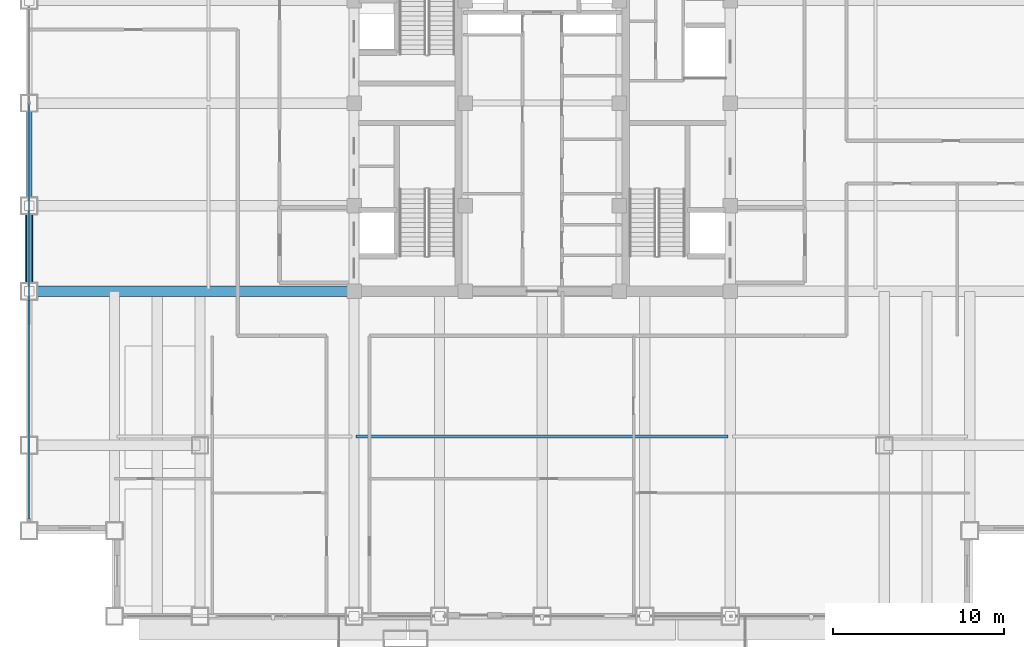
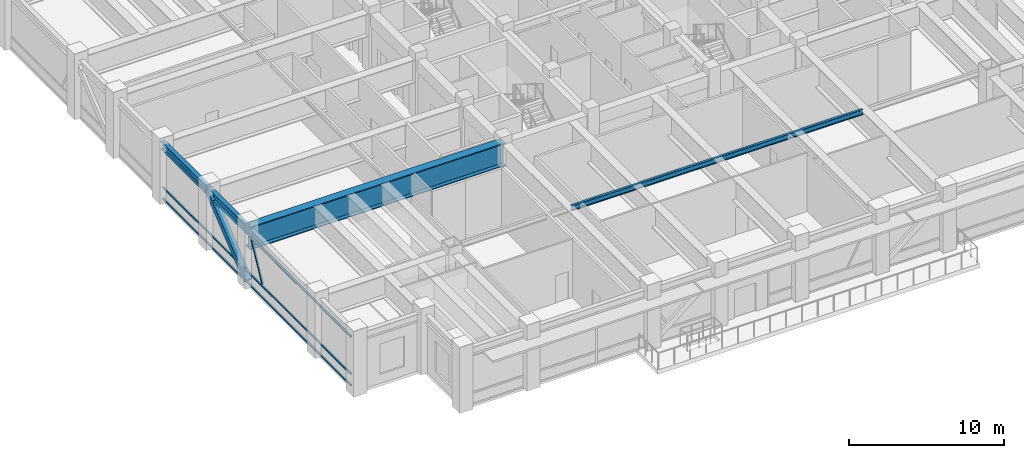
# One storey, part 5 of 33: 5 members, 4 beams, 1 element without a shape of its own.
"""IFC4 building model written with IfcOpenShell, lengths in metres."""

from ifc_helpers import new_model, si_unit, direction, frame, origin, origin_2d, place, context, subcontext, project, spatial, hollow_rectangle, i_section, extrude, source, transform, mapped, material, material_profile, profile_set, type_object, element, aggregate, save


model = new_model("IFC4")

# Units and contexts
model_context = context("Model", 3, precision=1e-05, world=origin(), true_north=direction((0.0, 1.0)))
body_context = subcontext(model_context, "Body", "Model", "MODEL_VIEW")
ifc_project = project(units=[si_unit("LENGTHUNIT", "METRE"), si_unit("AREAUNIT", "SQUARE_METRE"), si_unit("VOLUMEUNIT", "CUBIC_METRE"), si_unit("PLANEANGLEUNIT", "RADIAN"), si_unit("MASSUNIT", "GRAM", prefix="KILO")], contexts=[model_context])

# Site, building, storey
site_placement = place(None, origin())
site = spatial("IfcSite", under=ifc_project, at=site_placement, CompositionType="ELEMENT")
building_placement = place(site_placement, origin())
building = spatial("IfcBuilding", under=site, at=building_placement, Name="Khorayat Bourse Tower", CompositionType="ELEMENT")
storey_placement = place(building_placement, frame((0.0, 0.0, 263.10009765625)))
storey = spatial("IfcBuildingStorey", under=building, at=storey_placement, Name="L62", CompositionType="ELEMENT", Elevation=263.10009765625)

# Beams
ifc_material_1 = material(Name="Steel ASTM A992 Grade 50", Category="steel")
ifc_material_profile_1 = material_profile(ifc_material_1, i_section(OverallWidth=0.180908203125, OverallDepth=0.4169921875, WebThickness=0.010986328125, FlangeThickness=0.018310546875, FilletRadius=0.011962890625, at=origin_2d()), Name="W410X85")
ifc_profile_set_1 = profile_set([ifc_material_profile_1], Name="Steel ASTM A992 Grade 50")
beam_type_1 = type_object("IfcBeamType", Name="BM-JOIST-410", PredefinedType="JOIST", material=ifc_profile_set_1)
shared_shape_1 = source(origin(), body_context, "Body", "SweptSolid", [
    extrude(i_section(OverallWidth=0.180908203125, OverallDepth=0.4169921875, WebThickness=0.010986328125, FlangeThickness=0.018310546875, FilletRadius=0.011962890625, at=origin_2d()), origin(), (0.0, 0.0, 1.0), 21.740234375),
])
beam_1_placement = place(storey_placement, frame((-10.8701171875, -19.5, 4.391357421875), z_axis=(1.0, 0.0, 0.0), x_axis=(0.0, 1.0, 0.0)))
element("IfcBeam", 1, at=beam_1_placement, inside=storey, type_object=beam_type_1, Name="L62 BM-JOIST-410 BM-L62-JSTX-105", PredefinedType="JOIST", context=body_context, shape_type="MappedRepresentation", body=[
    mapped(shared_shape_1, transform((0.0, 0.0, 0.0), scale=1.0)),
])
ifc_material_profile_2 = material_profile(ifc_material_1, i_section(OverallWidth=0.324951171875, OverallDepth=0.615966796875, WebThickness=0.013916015625, FlangeThickness=0.021484375, FilletRadius=0.01611328125, at=origin_2d()), Name="W610X174")
ifc_profile_set_2 = profile_set([ifc_material_profile_2], Name="Steel ASTM A992 Grade 50")
beam_type_2 = type_object("IfcBeamType", Name="BM-SPAN-610", PredefinedType="SPANDREL", material=ifc_profile_set_2)
shared_shape_2 = source(origin(), body_context, "Body", "SweptSolid", [
    extrude(i_section(OverallWidth=0.324951171875, OverallDepth=0.615966796875, WebThickness=0.013916015625, FlangeThickness=0.021484375, FilletRadius=0.01611328125, at=origin_2d()), origin(), (0.0, 0.0, 1.0), 5.0),
])
beam_2_placement = place(storey_placement, frame((-30.0, -11.0, 4.2919921875), z_axis=(0.0, 1.0, 0.0), x_axis=(-1.0, 0.0, 0.0)))
element("IfcBeam", 2, at=beam_2_placement, inside=storey, type_object=beam_type_2, Name="L62 BM-SPAN-610 BM-L62-SPN-059", PredefinedType="SPANDREL", context=body_context, shape_type="MappedRepresentation", body=[
    mapped(shared_shape_2, transform((0.0, 0.0, 0.0), scale=1.0)),
])
shared_shape_3 = source(origin(), body_context, "Body", "SweptSolid", [
    extrude(i_section(OverallWidth=0.324951171875, OverallDepth=0.615966796875, WebThickness=0.013916015625, FlangeThickness=0.021484375, FilletRadius=0.01611328125, at=origin_2d()), origin(), (0.0, 0.0, 1.0), 6.0),
])
beam_3_placement = place(storey_placement, frame((-30.0, -6.0, 4.2919921875), z_axis=(0.0, 1.0, 0.0), x_axis=(-1.0, 0.0, 0.0)))
element("IfcBeam", 3, at=beam_3_placement, inside=storey, type_object=beam_type_2, Name="L62 BM-SPAN-610 BM-L62-SPN-058", PredefinedType="SPANDREL", context=body_context, shape_type="MappedRepresentation", body=[
    mapped(shared_shape_3, transform((0.0, 0.0, 0.0), scale=1.0)),
])
ifc_material_2 = material(Name="Steel EN 10025-4 S460M", Category="steel")
ifc_material_profile_3 = material_profile(ifc_material_2, i_section(OverallWidth=0.60009765625, OverallDepth=1.800048828125, WebThickness=0.031982421875, FlangeThickness=0.06005859375, at=origin_2d()), Name="PG 1800x600x32x60")
ifc_profile_set_3 = profile_set([ifc_material_profile_3], Name="Steel EN 10025-4 S460M")
beam_type_3 = type_object("IfcBeamType", Name="BM-TR-1800", PredefinedType="BEAM", material=ifc_profile_set_3)
shared_shape_4 = source(origin(), body_context, "Body", "SweptSolid", [
    extrude(i_section(OverallWidth=0.60009765625, OverallDepth=1.800048828125, WebThickness=0.031982421875, FlangeThickness=0.06005859375, at=origin_2d()), origin(), (0.0, 0.0, 1.0), 19.0),
])
beam_4_placement = place(storey_placement, frame((-30.0, -11.0, 3.699951171875), z_axis=(1.0, 0.0, 0.0), x_axis=(0.0, 1.0, 0.0)))
element("IfcBeam", 4, at=beam_4_placement, inside=storey, type_object=beam_type_3, Name="L62 BM-TR-1800 BM-L62-RADX-075", PredefinedType="BEAM", context=body_context, shape_type="MappedRepresentation", body=[
    mapped(shared_shape_4, transform((0.0, 0.0, 0.0), scale=1.0)),
])

# Member
ifc_material_profile_4 = material_profile(ifc_material_2, hollow_rectangle(XDim=0.449951171875, YDim=0.449951171875, WallThickness=0.02490234375, at=origin_2d()), Name="HSS 450x450x25")
ifc_profile_set_4 = profile_set([ifc_material_profile_4], Name="Steel EN 10025-4 S460M")
member_type_1 = type_object("IfcMemberType", Name="MBR-TUBE-450", PredefinedType="BRACE", material=ifc_profile_set_4)
shared_shape_5 = source(origin(), body_context, "Body", "SweptSolid", [
    extrude(hollow_rectangle(XDim=0.449951171875, YDim=0.449951171875, WallThickness=0.02490234375, at=origin_2d()), origin(), (0.0, 0.0, 1.0), 6.466064453125),
])
member_1_placement = place(storey_placement, frame((-30.0, -11.0, 0.25), z_axis=(0.0, 0.773278898257, 0.634066041916), x_axis=(-1.0, 0.0, 0.0)))
element("IfcMember", 5, at=member_1_placement, inside=storey, type_object=member_type_1, Name="L62 Perimeter Tube Brace 05", PredefinedType="BRACE", context=body_context, shape_type="MappedRepresentation", body=[
    mapped(shared_shape_5, transform((0.0, 0.0, 0.0), scale=1.0)),
])

# Curtain wall, members
ifc_material_3 = material(Name="Aluminium EN AW-6063 T6", Category="aluminium")
curtain_wall_type = type_object("IfcCurtainWallType", Name="CW-SYS-05", PredefinedType="NOTDEFINED", material=ifc_material_3)
curtain_wall_placement = place(storey_placement, origin())
curtain_wall = element("IfcCurtainWall", 6, at=curtain_wall_placement, inside=storey, type_object=curtain_wall_type, Name="L62 Curtain Wall CW-L62-W1", PredefinedType="NOTDEFINED")
ifc_material_profile_5 = material_profile(ifc_material_3, hollow_rectangle(XDim=0.1201171875, YDim=0.1201171875, WallThickness=0.0048828125, at=origin_2d()), Name="ALU 120x120x5")
ifc_profile_set_5 = profile_set([ifc_material_profile_5], Name="Aluminium EN AW-6063 T6")
member_type_2 = type_object("IfcMemberType", Name="CWM-DIAG-120", PredefinedType="MULLION", material=ifc_profile_set_5)
shared_shape_6 = source(origin(), body_context, "Body", "SweptSolid", [
    extrude(hollow_rectangle(XDim=0.1201171875, YDim=0.1201171875, WallThickness=0.0048828125, at=origin_2d()), origin(), (0.0, 0.0, 1.0), 3.006103515625),
])
member_2_placement = place(storey_placement, frame((-30.0, -12.889892578125, 1.08984375), z_axis=(0.0, 0.465699569312, 0.884942885808), x_axis=(-1.0, 0.0, 0.0)))
member_2 = element("IfcMember", 7, at=member_2_placement, type_object=member_type_2, Name="CW-L62-W1 Faceted Diagonal Mullion 1", PredefinedType="MULLION", context=body_context, shape_type="MappedRepresentation", body=[
    mapped(shared_shape_6, transform((0.0, 0.0, 0.0), scale=1.0)),
])
ifc_material_profile_6 = material_profile(ifc_material_3, hollow_rectangle(XDim=0.1201171875, YDim=0.1201171875, WallThickness=0.0048828125, at=origin_2d()), Name="ALU 120x120x5")
ifc_profile_set_6 = profile_set([ifc_material_profile_6], Name="Aluminium EN AW-6063 T6")
member_type_3 = type_object("IfcMemberType", Name="CWT-HORZ-120", PredefinedType="USERDEFINED", material=ifc_profile_set_6)
shared_shape_7 = source(origin(), body_context, "Body", "SweptSolid", [
    extrude(hollow_rectangle(XDim=0.1201171875, YDim=0.1201171875, WallThickness=0.0048828125, at=origin_2d()), origin(), (0.0, 0.0, 1.0), 24.239990234375),
])
member_3_placement = place(storey_placement, frame((-30.0, -24.31005859375, 0.059814453125), z_axis=(0.0, 1.0, 0.0), x_axis=(-1.0, 0.0, 0.0)))
member_3 = element("IfcMember", 8, at=member_3_placement, type_object=member_type_3, Name="CW-L62-W1 Horizontal Transom 1-1", ObjectType="TRANSOM", PredefinedType="USERDEFINED", context=body_context, shape_type="MappedRepresentation", body=[
    mapped(shared_shape_7, transform((0.0, 0.0, 0.0), scale=1.0)),
])
member_4_placement = place(storey_placement, frame((-30.0, -24.31005859375, 0.949951171875), z_axis=(0.0, 1.0, 0.0), x_axis=(-1.0, 0.0, 0.0)))
member_4 = element("IfcMember", 9, at=member_4_placement, type_object=member_type_3, Name="CW-L62-W1 Horizontal Transom 1-2", ObjectType="TRANSOM", PredefinedType="USERDEFINED", context=body_context, shape_type="MappedRepresentation", body=[
    mapped(shared_shape_7, transform((0.0, 0.0, 0.0), scale=1.0)),
])
member_5_placement = place(storey_placement, frame((-30.0, -24.31005859375, 3.889892578125), z_axis=(0.0, 1.0, 0.0), x_axis=(-1.0, 0.0, 0.0)))
member_5 = element("IfcMember", 10, at=member_5_placement, type_object=member_type_3, Name="CW-L62-W1 Horizontal Transom 1-3", ObjectType="TRANSOM", PredefinedType="USERDEFINED", context=body_context, shape_type="MappedRepresentation", body=[
    mapped(shared_shape_7, transform((0.0, 0.0, 0.0), scale=1.0)),
])
aggregate(curtain_wall, [member_3, member_4, member_5, member_2])

save(model, "model.ifc")
